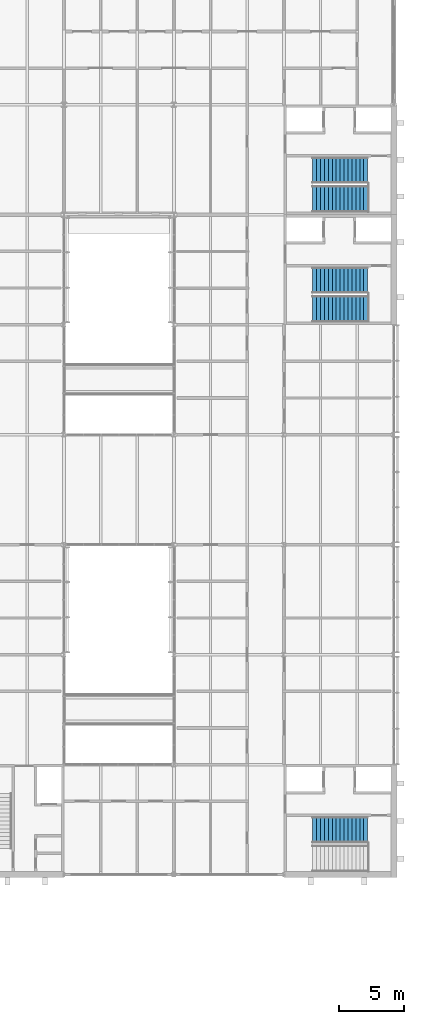
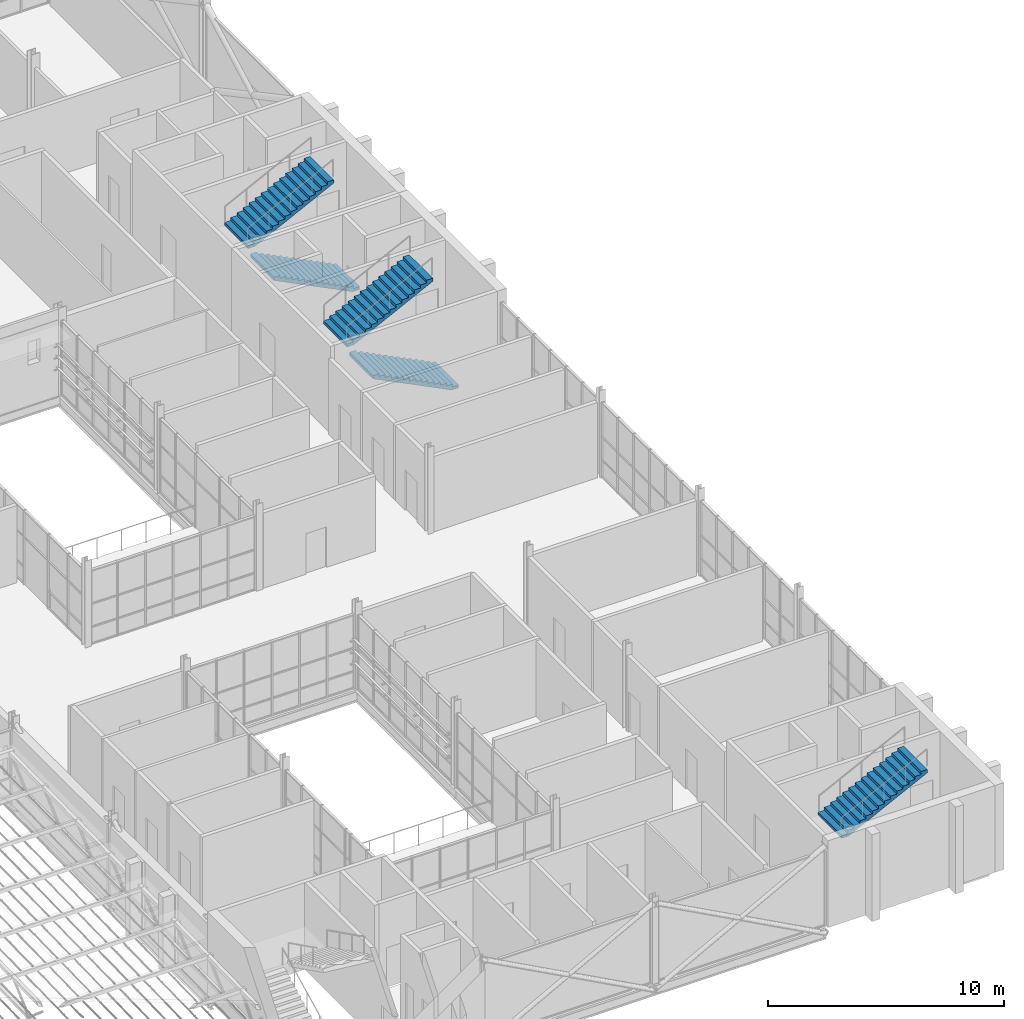
# One storey, part 98 of 129: 5 stair flights, 3 elements without a shape of their own.
"""IFC4 building model written with IfcOpenShell, lengths in metres."""

from ifc_helpers import new_model, si_unit, direction, frame, origin, place, context, subcontext, project, spatial, polyline, outline, extrude, material, type_object, element, aggregate, save


model = new_model("IFC4")

# Units and contexts
model_context = context("Model", 3, precision=1e-05, world=origin(), true_north=direction((0.0, 1.0)))
body_context = subcontext(model_context, "Body", "Model", "MODEL_VIEW")
ifc_project = project(units=[si_unit("LENGTHUNIT", "METRE"), si_unit("AREAUNIT", "SQUARE_METRE"), si_unit("VOLUMEUNIT", "CUBIC_METRE"), si_unit("PLANEANGLEUNIT", "RADIAN"), si_unit("MASSUNIT", "GRAM", prefix="KILO")], contexts=[model_context])

# Site, building, storey
site_placement = place(None, origin())
site = spatial("IfcSite", under=ifc_project, at=site_placement, CompositionType="ELEMENT")
building_placement = place(site_placement, origin())
building = spatial("IfcBuilding", under=site, at=building_placement, Name="Ardhachandra Cancer Care Centre", CompositionType="ELEMENT")
storey_placement = place(building_placement, frame((0.0, 0.0, 4.5)))
storey = spatial("IfcBuildingStorey", under=building, at=storey_placement, Name="L01", CompositionType="ELEMENT", Elevation=4.5)

# Stair, stair flight
ifc_material_1 = material(Name="Concrete M40", Category="concrete")
stair_type = type_object("IfcStairType", Name="Dog-leg stair 2000", PredefinedType="HALF_TURN_STAIR", material=ifc_material_1)
stair_1_placement = place(storey_placement, origin())
stair_1 = element("IfcStair", 1, at=stair_1_placement, inside=storey, type_object=stair_type, Name="Stair K9 L01-L02", PredefinedType="HALF_TURN_STAIR")
ifc_material_2 = material(Name="Concrete M40", Category="concrete")
stair_flight_type = type_object("IfcStairFlightType", Name="Stair flight 2000", PredefinedType="STRAIGHT", material=ifc_material_2)
stair_flight_1_placement = place(storey_placement, frame((139.0, 32.824951171875, 2.25), z_axis=(0.0, 0.0, 1.0), x_axis=(1.0, 0.0, 0.0)))
stair_flight_1 = element("IfcStairFlight", 2, at=stair_flight_1_placement, type_object=stair_flight_type, Name="stair K9 L01-L02 flight 2", NumberOfRisers=15, NumberOfTreads=14, PredefinedType="STRAIGHT", RiserHeight=0.15, TreadLength=0.3, context=body_context, shape_type="SweptSolid", body=[
    extrude(outline(polyline([(0.0, 0.0), (0.0, 0.14990234375), (0.300048828125, 0.14990234375), (0.300048828125, 0.300048828125), (0.60009765625, 0.300048828125), (0.60009765625, 0.449951171875), (0.89990234375, 0.449951171875), (0.89990234375, 0.60009765625), (1.199951171875, 0.60009765625), (1.199951171875, 0.75), (1.5, 0.75), (1.5, 0.89990234375), (1.800048828125, 0.89990234375), (1.800048828125, 1.050048828125), (2.10009765625, 1.050048828125), (2.10009765625, 1.199951171875), (2.39990234375, 1.199951171875), (2.39990234375, 1.35009765625), (2.699951171875, 1.35009765625), (2.699951171875, 1.5), (3.0, 1.5), (3.0, 1.64990234375), (3.300048828125, 1.64990234375), (3.300048828125, 1.800048828125), (3.60009765625, 1.800048828125), (3.60009765625, 1.949951171875), (3.89990234375, 1.949951171875), (3.89990234375, 2.10009765625), (4.199951171875, 2.10009765625), (4.199951171875, 2.25), (4.199951171875, 1.932373046875), (0.335205078125, 0.0), (0.0, 0.0)])), frame((0.0, 1.0, 0.0), z_axis=(0.0, -1.0, 0.0), x_axis=(1.0, 0.0, 0.0)), (0.0, 0.0, 1.0), 2.0),
])
aggregate(stair_1, [stair_flight_1])

# Stair, stair flights
stair_2_placement = place(storey_placement, origin())
stair_2 = element("IfcStair", 3, at=stair_2_placement, inside=storey, type_object=stair_type, Name="Stair K10 L01-L02", PredefinedType="HALF_TURN_STAIR")
stair_flight_2_placement = place(storey_placement, frame((143.199951171875, 72.60009765625, 0.0), z_axis=(0.0, 0.0, 1.0), x_axis=(-1.0, 0.0, 0.0)))
stair_flight_2 = element("IfcStairFlight", 4, at=stair_flight_2_placement, type_object=stair_flight_type, Name="stair K10 L01-L02 flight 1", NumberOfRisers=15, NumberOfTreads=14, PredefinedType="STRAIGHT", RiserHeight=0.15, TreadLength=0.3, context=body_context, shape_type="SweptSolid", body=[
    extrude(outline(polyline([(0.0, 0.0), (0.0, 0.14990234375), (0.300048828125, 0.14990234375), (0.300048828125, 0.300048828125), (0.60009765625, 0.300048828125), (0.60009765625, 0.449951171875), (0.89990234375, 0.449951171875), (0.89990234375, 0.60009765625), (1.199951171875, 0.60009765625), (1.199951171875, 0.75), (1.5, 0.75), (1.5, 0.89990234375), (1.800048828125, 0.89990234375), (1.800048828125, 1.050048828125), (2.10009765625, 1.050048828125), (2.10009765625, 1.199951171875), (2.39990234375, 1.199951171875), (2.39990234375, 1.35009765625), (2.699951171875, 1.35009765625), (2.699951171875, 1.5), (3.0, 1.5), (3.0, 1.64990234375), (3.300048828125, 1.64990234375), (3.300048828125, 1.800048828125), (3.60009765625, 1.800048828125), (3.60009765625, 1.949951171875), (3.89990234375, 1.949951171875), (3.89990234375, 2.10009765625), (4.199951171875, 2.10009765625), (4.199951171875, 2.25), (4.199951171875, 1.932373046875), (0.335205078125, 0.0), (0.0, 0.0)])), frame((0.0, 1.0, 0.0), z_axis=(0.0, -1.0, 0.0), x_axis=(1.0, 0.0, 0.0)), (0.0, 0.0, 1.0), 2.0),
])
stair_flight_3_placement = place(storey_placement, frame((139.0, 74.800048828125, 2.25), z_axis=(0.0, 0.0, 1.0), x_axis=(1.0, 0.0, 0.0)))
stair_flight_3 = element("IfcStairFlight", 5, at=stair_flight_3_placement, type_object=stair_flight_type, Name="stair K10 L01-L02 flight 2", NumberOfRisers=15, NumberOfTreads=14, PredefinedType="STRAIGHT", RiserHeight=0.15, TreadLength=0.3, context=body_context, shape_type="SweptSolid", body=[
    extrude(outline(polyline([(0.0, 0.0), (0.0, 0.14990234375), (0.300048828125, 0.14990234375), (0.300048828125, 0.300048828125), (0.60009765625, 0.300048828125), (0.60009765625, 0.449951171875), (0.89990234375, 0.449951171875), (0.89990234375, 0.60009765625), (1.199951171875, 0.60009765625), (1.199951171875, 0.75), (1.5, 0.75), (1.5, 0.89990234375), (1.800048828125, 0.89990234375), (1.800048828125, 1.050048828125), (2.10009765625, 1.050048828125), (2.10009765625, 1.199951171875), (2.39990234375, 1.199951171875), (2.39990234375, 1.35009765625), (2.699951171875, 1.35009765625), (2.699951171875, 1.5), (3.0, 1.5), (3.0, 1.64990234375), (3.300048828125, 1.64990234375), (3.300048828125, 1.800048828125), (3.60009765625, 1.800048828125), (3.60009765625, 1.949951171875), (3.89990234375, 1.949951171875), (3.89990234375, 2.10009765625), (4.199951171875, 2.10009765625), (4.199951171875, 2.25), (4.199951171875, 1.932373046875), (0.335205078125, 0.0), (0.0, 0.0)])), frame((0.0, 1.0, 0.0), z_axis=(0.0, -1.0, 0.0), x_axis=(1.0, 0.0, 0.0)), (0.0, 0.0, 1.0), 2.0),
])
aggregate(stair_2, [stair_flight_2, stair_flight_3])

stair_3_placement = place(storey_placement, origin())
stair_3 = element("IfcStair", 6, at=stair_3_placement, inside=storey, type_object=stair_type, Name="Stair K13 L01-L02", PredefinedType="HALF_TURN_STAIR")
stair_flight_4_placement = place(storey_placement, frame((143.199951171875, 81.0, 0.0), z_axis=(0.0, 0.0, 1.0), x_axis=(-1.0, 0.0, 0.0)))
stair_flight_4 = element("IfcStairFlight", 7, at=stair_flight_4_placement, type_object=stair_flight_type, Name="stair K13 L01-L02 flight 1", NumberOfRisers=15, NumberOfTreads=14, PredefinedType="STRAIGHT", RiserHeight=0.15, TreadLength=0.3, context=body_context, shape_type="SweptSolid", body=[
    extrude(outline(polyline([(0.0, 0.0), (0.0, 0.14990234375), (0.300048828125, 0.14990234375), (0.300048828125, 0.300048828125), (0.60009765625, 0.300048828125), (0.60009765625, 0.449951171875), (0.89990234375, 0.449951171875), (0.89990234375, 0.60009765625), (1.199951171875, 0.60009765625), (1.199951171875, 0.75), (1.5, 0.75), (1.5, 0.89990234375), (1.800048828125, 0.89990234375), (1.800048828125, 1.050048828125), (2.10009765625, 1.050048828125), (2.10009765625, 1.199951171875), (2.39990234375, 1.199951171875), (2.39990234375, 1.35009765625), (2.699951171875, 1.35009765625), (2.699951171875, 1.5), (3.0, 1.5), (3.0, 1.64990234375), (3.300048828125, 1.64990234375), (3.300048828125, 1.800048828125), (3.60009765625, 1.800048828125), (3.60009765625, 1.949951171875), (3.89990234375, 1.949951171875), (3.89990234375, 2.10009765625), (4.199951171875, 2.10009765625), (4.199951171875, 2.25), (4.199951171875, 1.932373046875), (0.335205078125, 0.0), (0.0, 0.0)])), frame((0.0, 1.0, 0.0), z_axis=(0.0, -1.0, 0.0), x_axis=(1.0, 0.0, 0.0)), (0.0, 0.0, 1.0), 2.0),
])
stair_flight_5_placement = place(storey_placement, frame((139.0, 83.199951171875, 2.25), z_axis=(0.0, 0.0, 1.0), x_axis=(1.0, 0.0, 0.0)))
stair_flight_5 = element("IfcStairFlight", 8, at=stair_flight_5_placement, type_object=stair_flight_type, Name="stair K13 L01-L02 flight 2", NumberOfRisers=15, NumberOfTreads=14, PredefinedType="STRAIGHT", RiserHeight=0.15, TreadLength=0.3, context=body_context, shape_type="SweptSolid", body=[
    extrude(outline(polyline([(0.0, 0.0), (0.0, 0.14990234375), (0.300048828125, 0.14990234375), (0.300048828125, 0.300048828125), (0.60009765625, 0.300048828125), (0.60009765625, 0.449951171875), (0.89990234375, 0.449951171875), (0.89990234375, 0.60009765625), (1.199951171875, 0.60009765625), (1.199951171875, 0.75), (1.5, 0.75), (1.5, 0.89990234375), (1.800048828125, 0.89990234375), (1.800048828125, 1.050048828125), (2.10009765625, 1.050048828125), (2.10009765625, 1.199951171875), (2.39990234375, 1.199951171875), (2.39990234375, 1.35009765625), (2.699951171875, 1.35009765625), (2.699951171875, 1.5), (3.0, 1.5), (3.0, 1.64990234375), (3.300048828125, 1.64990234375), (3.300048828125, 1.800048828125), (3.60009765625, 1.800048828125), (3.60009765625, 1.949951171875), (3.89990234375, 1.949951171875), (3.89990234375, 2.10009765625), (4.199951171875, 2.10009765625), (4.199951171875, 2.25), (4.199951171875, 1.932373046875), (0.335205078125, 0.0), (0.0, 0.0)])), frame((0.0, 1.0, 0.0), z_axis=(0.0, -1.0, 0.0), x_axis=(1.0, 0.0, 0.0)), (0.0, 0.0, 1.0), 2.0),
])
aggregate(stair_3, [stair_flight_4, stair_flight_5])

save(model, "model.ifc")
